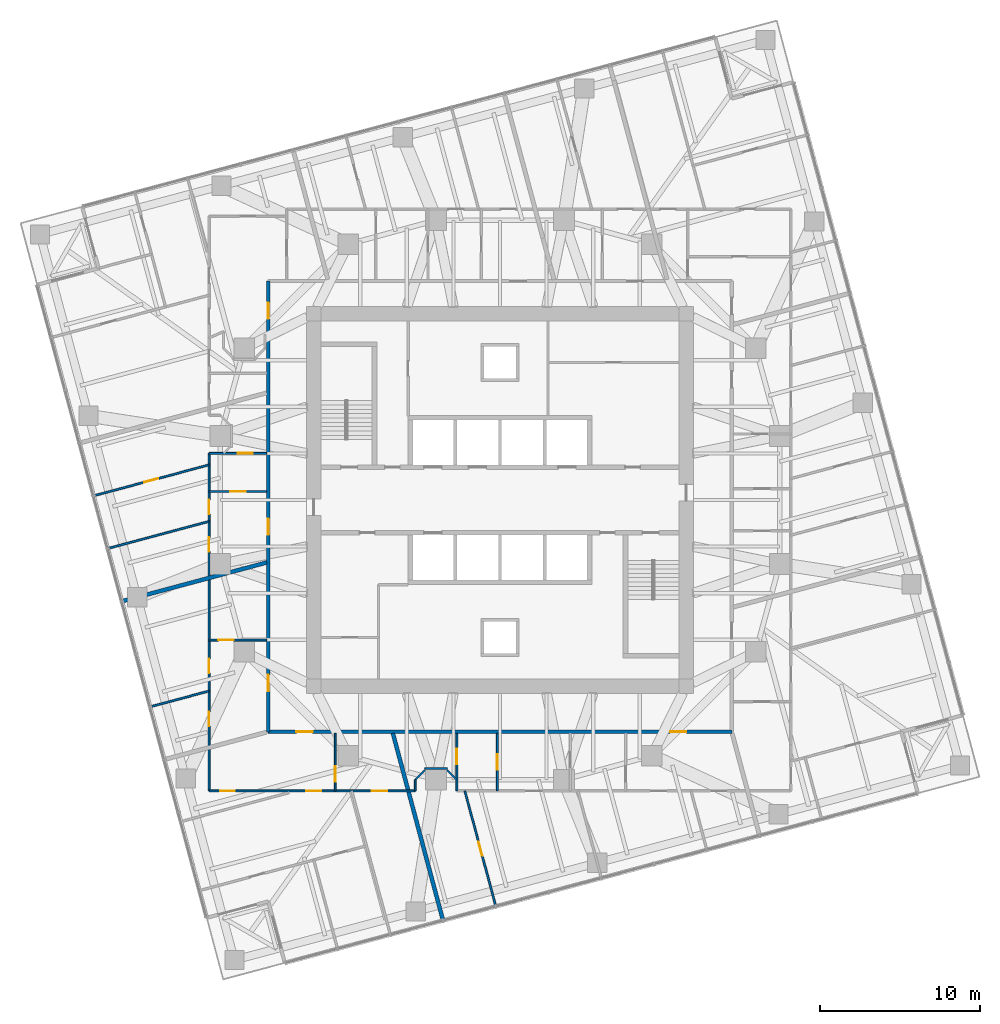
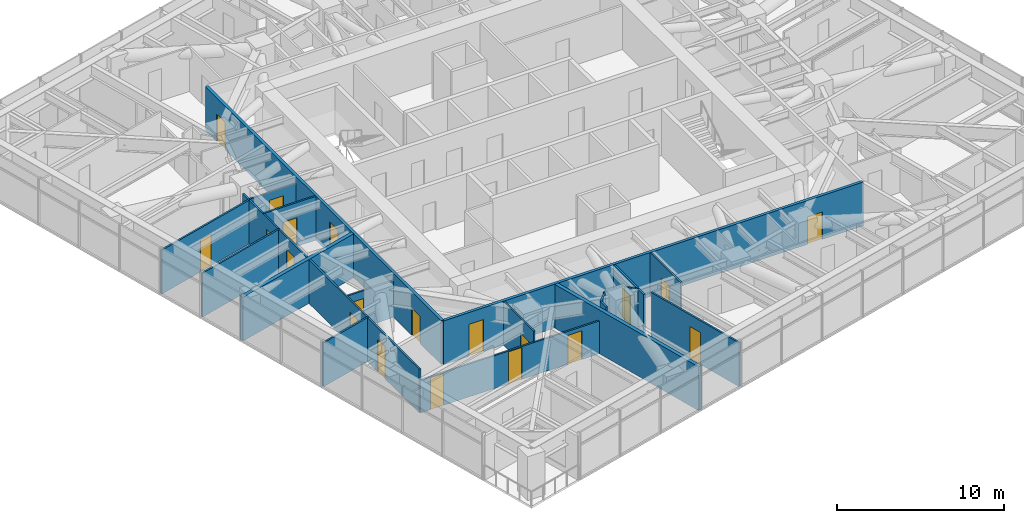
# One storey, part 11 of 18: 20 doors, 20 walls, 20 openings.
"""IFC4 building model written with IfcOpenShell, lengths in metres."""

from ifc_helpers import new_model, si_unit, direction, frame, frame_2d, origin, place, context, subcontext, project, spatial, rectangle, extrude, material, layer, layer_set, type_object, element, fill, save


model = new_model("IFC4")

# Units and contexts
model_context = context("Model", 3, precision=1e-05, world=origin(), true_north=direction((0.0, 1.0)))
body_context = subcontext(model_context, "Body", "Model", "MODEL_VIEW")
ifc_project = project(units=[si_unit("LENGTHUNIT", "METRE"), si_unit("AREAUNIT", "SQUARE_METRE"), si_unit("VOLUMEUNIT", "CUBIC_METRE"), si_unit("PLANEANGLEUNIT", "RADIAN"), si_unit("MASSUNIT", "GRAM", prefix="KILO")], contexts=[model_context])

# Site, building, storey
site_placement = place(None, origin())
site = spatial("IfcSite", under=ifc_project, at=site_placement, CompositionType="ELEMENT")
building_placement = place(site_placement, origin())
building = spatial("IfcBuilding", under=site, at=building_placement, Name="Torsade Residences", CompositionType="ELEMENT")
storey_placement = place(building_placement, frame((0.0, 0.0, 135.39990234375)))
storey = spatial("IfcBuildingStorey", under=building, at=storey_placement, Name="L37", CompositionType="ELEMENT", Elevation=135.39990234375)

# Wall, openings, doors
ifc_material_1 = material(Name="Plasterboard on steel stud", Category="steel")
ifc_layer_1 = layer(ifc_material_1, 0.199951171875)
ifc_layer_set_1 = layer_set([ifc_layer_1], Name="Plasterboard on steel stud")
wall_type_1 = type_object("IfcWallType", Name="CORRIDOR WALL 200", PredefinedType="PARTITIONING", material=ifc_layer_set_1)
wall_1_placement = place(storey_placement, frame((25.5, 15.5, 0.0), z_axis=(0.0, 0.0, 1.0), x_axis=(1.0, 0.0, 0.0)))
wall_1 = element("IfcWall", 1, at=wall_1_placement, inside=storey, type_object=wall_type_1, Name="Corridor wall L37", PredefinedType="PARTITIONING", context=body_context, shape_type="SweptSolid", body=[
    extrude(rectangle(XDim=29.0, YDim=0.199951171875, at=frame_2d((14.5, 0.0))), origin(), (0.0, 0.0, 1.0), 3.2001953125),
])
opening_1_placement = place(wall_1_placement, frame((25.146240234375, 0.0, 0.0)))
opening_1 = element("IfcOpeningElement", 2, at=opening_1_placement, cuts=wall_1, Name="Opening D01N", PredefinedType="OPENING", context=body_context, shape_type="SweptSolid", body=[
    extrude(rectangle(XDim=1.02001953125, YDim=2.0, at=frame_2d((0.510009765625, 1.0))), frame((0.0, 0.10986328125, 0.0), z_axis=(0.0, -1.0, 0.0), x_axis=(1.0, 0.0, 0.0)), (0.0, 0.0, 1.0), 0.219970703125),
])
opening_2_placement = place(wall_1_placement, frame((1.76123046875, 0.0, 0.0)))
opening_2 = element("IfcOpeningElement", 3, at=opening_2_placement, cuts=wall_1, Name="Opening D01", PredefinedType="OPENING", context=body_context, shape_type="SweptSolid", body=[
    extrude(rectangle(XDim=1.02001953125, YDim=2.340087890625, at=frame_2d((0.510009765625, 1.169921875))), frame((0.0, 0.10986328125, 0.0), z_axis=(0.0, -1.0, 0.0), x_axis=(1.0, 0.0, 0.0)), (0.0, 0.0, 1.0), 0.219970703125),
])
ifc_material_2 = material(Name="Solid-core timber fire door", Category="wood")
door_type_1 = type_object("IfcDoorType", Name="APARTMENT ENTRY DOOR 1020x2000", OperationType="NOTDEFINED", PredefinedType="DOOR", material=ifc_material_2)
door_1_placement = place(opening_1_placement, origin())
door_1 = element("IfcDoor", 4, at=door_1_placement, inside=storey, type_object=door_type_1, Name="Door Residential corridor to Kitchen and dining", OperationType="SINGLE_SWING_RIGHT", OverallHeight=2.0, OverallWidth=1.02001953125, PredefinedType="DOOR", context=body_context, shape_type="SweptSolid", body=[
    extrude(rectangle(XDim=1.02001953125, YDim=2.0, at=frame_2d((0.510009765625, 1.0))), frame((0.0, 0.02490234375, 0.0), z_axis=(0.0, -1.0, 0.0), x_axis=(1.0, 0.0, 0.0)), (0.0, 0.0, 1.0), 0.050048828125),
])
fill(opening_1, door_1)
ifc_material_3 = material(Name="Solid-core timber fire door", Category="wood")
door_type_2 = type_object("IfcDoorType", Name="APARTMENT ENTRY DOOR 1020x2340", OperationType="NOTDEFINED", PredefinedType="DOOR", material=ifc_material_3)
door_2_placement = place(opening_2_placement, origin())
door_2 = element("IfcDoor", 5, at=door_2_placement, inside=storey, type_object=door_type_2, Name="Door Residential corridor to Kitchen and dining", OperationType="SINGLE_SWING_LEFT", OverallHeight=2.340087890625, OverallWidth=1.02001953125, PredefinedType="DOOR", context=body_context, shape_type="SweptSolid", body=[
    extrude(rectangle(XDim=1.02001953125, YDim=2.340087890625, at=frame_2d((0.510009765625, 1.169921875))), frame((0.0, 0.02490234375, 0.0), z_axis=(0.0, -1.0, 0.0), x_axis=(1.0, 0.0, 0.0)), (0.0, 0.0, 1.0), 0.050048828125),
])
fill(opening_2, door_2)

wall_2_placement = place(storey_placement, frame((25.5, 43.699951171875, 0.0), z_axis=(0.0, 0.0, 1.0), x_axis=(0.0, -1.0, 0.0)))
wall_2 = element("IfcWall", 6, at=wall_2_placement, inside=storey, type_object=wall_type_1, Name="Corridor wall L37", PredefinedType="PARTITIONING", context=body_context, shape_type="SweptSolid", body=[
    extrude(rectangle(XDim=28.199951171875, YDim=0.199951171875, at=frame_2d((14.10009765625, 0.0))), origin(), (0.0, 0.0, 1.0), 3.2001953125),
])
opening_3_placement = place(wall_2_placement, frame((24.64599609375, 0.0, 0.0)))
opening_3 = element("IfcOpeningElement", 7, at=opening_3_placement, cuts=wall_2, Name="Opening D01N", PredefinedType="OPENING", context=body_context, shape_type="SweptSolid", body=[
    extrude(rectangle(XDim=1.02001953125, YDim=2.0, at=frame_2d((0.510009765625, 1.0))), frame((0.0, 0.10986328125, 0.0), z_axis=(0.0, -1.0, 0.0), x_axis=(1.0, 0.0, 0.0)), (0.0, 0.0, 1.0), 0.219970703125),
])
opening_4_placement = place(wall_2_placement, frame((14.85791015625, 0.0, 0.0)))
opening_4 = element("IfcOpeningElement", 8, at=opening_4_placement, cuts=wall_2, Name="Opening D01", PredefinedType="OPENING", context=body_context, shape_type="SweptSolid", body=[
    extrude(rectangle(XDim=1.02001953125, YDim=2.340087890625, at=frame_2d((0.510009765625, 1.169921875))), frame((0.0, 0.10986328125, 0.0), z_axis=(0.0, -1.0, 0.0), x_axis=(1.0, 0.0, 0.0)), (0.0, 0.0, 1.0), 0.219970703125),
])
opening_5_placement = place(wall_2_placement, frame((1.347412109375, 0.0, 0.0)))
opening_5 = element("IfcOpeningElement", 9, at=opening_5_placement, cuts=wall_2, Name="Opening D01N", PredefinedType="OPENING", context=body_context, shape_type="SweptSolid", body=[
    extrude(rectangle(XDim=1.02001953125, YDim=2.0, at=frame_2d((0.510009765625, 1.0))), frame((0.0, 0.10986328125, 0.0), z_axis=(0.0, -1.0, 0.0), x_axis=(1.0, 0.0, 0.0)), (0.0, 0.0, 1.0), 0.219970703125),
])
door_3_placement = place(opening_3_placement, origin())
door_3 = element("IfcDoor", 10, at=door_3_placement, inside=storey, type_object=door_type_1, Name="Door Residential corridor to Kitchen and dining", OperationType="SINGLE_SWING_RIGHT", OverallHeight=2.0, OverallWidth=1.02001953125, PredefinedType="DOOR", context=body_context, shape_type="SweptSolid", body=[
    extrude(rectangle(XDim=1.02001953125, YDim=2.0, at=frame_2d((0.510009765625, 1.0))), frame((0.0, 0.02490234375, 0.0), z_axis=(0.0, -1.0, 0.0), x_axis=(1.0, 0.0, 0.0)), (0.0, 0.0, 1.0), 0.050048828125),
])
fill(opening_3, door_3)
door_4_placement = place(opening_5_placement, origin())
door_4 = element("IfcDoor", 11, at=door_4_placement, inside=storey, type_object=door_type_1, Name="Door Residential corridor to Kitchen and dining", OperationType="SINGLE_SWING_LEFT", OverallHeight=2.0, OverallWidth=1.02001953125, PredefinedType="DOOR", context=body_context, shape_type="SweptSolid", body=[
    extrude(rectangle(XDim=1.02001953125, YDim=2.0, at=frame_2d((0.510009765625, 1.0))), frame((0.0, 0.02490234375, 0.0), z_axis=(0.0, -1.0, 0.0), x_axis=(1.0, 0.0, 0.0)), (0.0, 0.0, 1.0), 0.050048828125),
])
fill(opening_5, door_4)
door_5_placement = place(opening_4_placement, origin())
door_5 = element("IfcDoor", 12, at=door_5_placement, inside=storey, type_object=door_type_2, Name="Door Residential corridor to Kitchen and dining", OperationType="SINGLE_SWING_RIGHT", OverallHeight=2.340087890625, OverallWidth=1.02001953125, PredefinedType="DOOR", context=body_context, shape_type="SweptSolid", body=[
    extrude(rectangle(XDim=1.02001953125, YDim=2.340087890625, at=frame_2d((0.510009765625, 1.169921875))), frame((0.0, 0.02490234375, 0.0), z_axis=(0.0, -1.0, 0.0), x_axis=(1.0, 0.0, 0.0)), (0.0, 0.0, 1.0), 0.050048828125),
])
fill(opening_4, door_5)

# Wall, opening, door
ifc_material_4 = material(Name="Plasterboard on steel stud", Category="steel")
ifc_layer_2 = layer(ifc_material_4, 0.1201171875)
ifc_layer_set_2 = layer_set([ifc_layer_2], Name="Plasterboard on steel stud")
wall_type_2 = type_object("IfcWallType", Name="PARTITION 120", PredefinedType="PARTITIONING", material=ifc_layer_set_2)
wall_3_placement = place(storey_placement, frame((21.800048828125, 21.238037109375, 0.0), z_axis=(0.0, 0.0, 1.0), x_axis=(1.0, 0.0, 0.0)))
wall_3 = element("IfcWall", 13, at=wall_3_placement, inside=storey, type_object=wall_type_2, Name="Partition L37", PredefinedType="PARTITIONING", context=body_context, shape_type="SweptSolid", body=[
    extrude(rectangle(XDim=3.599853515625, YDim=0.1201171875, at=frame_2d((1.7998046875, 0.0))), origin(), (0.0, 0.0, 1.0), 2.672119140625),
])
opening_6_placement = place(wall_3_placement, frame((0.570068359375, 0.0, 0.0)))
opening_6 = element("IfcOpeningElement", 14, at=opening_6_placement, cuts=wall_3, Name="Opening D05", PredefinedType="OPENING", context=body_context, shape_type="SweptSolid", body=[
    extrude(rectangle(XDim=0.9599609375, YDim=2.10009765625, at=frame_2d((0.47998046875, 1.050048828125))), frame((0.0, 0.070068359375, 0.0), z_axis=(0.0, -1.0, 0.0), x_axis=(1.0, 0.0, 0.0)), (0.0, 0.0, 1.0), 0.14013671875),
])
ifc_material_5 = material(Name="Hollow-core timber door in a steel cavity frame", Category="steel")
door_type_3 = type_object("IfcDoorType", Name="BATHROOM CAVITY SLIDING DOOR 960", OperationType="SLIDING_TO_LEFT", PredefinedType="DOOR", material=ifc_material_5)
door_6_placement = place(opening_6_placement, origin())
door_6 = element("IfcDoor", 15, at=door_6_placement, inside=storey, type_object=door_type_3, Name="Door Kitchen and dining to Bathroom", OperationType="SLIDING_TO_LEFT", OverallHeight=2.10009765625, OverallWidth=0.9599609375, PredefinedType="DOOR", context=body_context, shape_type="SweptSolid", body=[
    extrude(rectangle(XDim=0.9599609375, YDim=2.10009765625, at=frame_2d((0.47998046875, 1.050048828125))), frame((0.0, 0.02490234375, 0.0), z_axis=(0.0, -1.0, 0.0), x_axis=(1.0, 0.0, 0.0)), (0.0, 0.0, 1.0), 0.050048828125),
])
fill(opening_6, door_6)

# Wall, openings, doors
wall_4_placement = place(storey_placement, frame((21.800048828125, 11.800048828125, 0.0), z_axis=(0.0, 0.0, 1.0), x_axis=(0.0, 1.0, 0.0)))
wall_4 = element("IfcWall", 16, at=wall_4_placement, inside=storey, type_object=wall_type_2, Name="Partition L37", PredefinedType="PARTITIONING", context=body_context, shape_type="SweptSolid", body=[
    extrude(rectangle(XDim=21.115966796875, YDim=0.1201171875, at=frame_2d((10.55810546875, 0.0))), origin(), (0.0, 0.0, 1.0), 3.2001953125),
])
opening_7_placement = place(wall_4_placement, frame((4.046142578125, 0.0, 0.0)))
opening_7 = element("IfcOpeningElement", 17, at=opening_7_placement, cuts=wall_4, Name="Opening D02", PredefinedType="OPENING", context=body_context, shape_type="SweptSolid", body=[
    extrude(rectangle(XDim=0.919921875, YDim=2.340087890625, at=frame_2d((0.4599609375, 1.169921875))), frame((0.0, 0.070068359375, 0.0), z_axis=(0.0, -1.0, 0.0), x_axis=(1.0, 0.0, 0.0)), (0.0, 0.0, 1.0), 0.14013671875),
])
opening_8_placement = place(wall_4_placement, frame((7.357666015625, 0.0, 0.0)))
opening_8 = element("IfcOpeningElement", 18, at=opening_8_placement, cuts=wall_4, Name="Opening D02", PredefinedType="OPENING", context=body_context, shape_type="SweptSolid", body=[
    extrude(rectangle(XDim=0.919921875, YDim=2.340087890625, at=frame_2d((0.4599609375, 1.169921875))), frame((0.0, 0.070068359375, 0.0), z_axis=(0.0, -1.0, 0.0), x_axis=(1.0, 0.0, 0.0)), (0.0, 0.0, 1.0), 0.14013671875),
])
opening_9_placement = place(wall_4_placement, frame((14.957763671875, 0.0, 0.0)))
opening_9 = element("IfcOpeningElement", 19, at=opening_9_placement, cuts=wall_4, Name="Opening D02", PredefinedType="OPENING", context=body_context, shape_type="SweptSolid", body=[
    extrude(rectangle(XDim=0.919921875, YDim=2.340087890625, at=frame_2d((0.4599609375, 1.169921875))), frame((0.0, 0.070068359375, 0.0), z_axis=(0.0, -1.0, 0.0), x_axis=(1.0, 0.0, 0.0)), (0.0, 0.0, 1.0), 0.14013671875),
])
opening_10_placement = place(wall_4_placement, frame((17.310302734375, 0.0, 0.0)))
opening_10 = element("IfcOpeningElement", 20, at=opening_10_placement, cuts=wall_4, Name="Opening D02", PredefinedType="OPENING", context=body_context, shape_type="SweptSolid", body=[
    extrude(rectangle(XDim=0.919921875, YDim=2.340087890625, at=frame_2d((0.4599609375, 1.169921875))), frame((0.0, 0.070068359375, 0.0), z_axis=(0.0, -1.0, 0.0), x_axis=(1.0, 0.0, 0.0)), (0.0, 0.0, 1.0), 0.14013671875),
])
ifc_material_6 = material(Name="Hollow-core timber door", Category="wood")
door_type_4 = type_object("IfcDoorType", Name="INTERNAL DOOR 920x2340", OperationType="NOTDEFINED", PredefinedType="DOOR", material=ifc_material_6)
door_7_placement = place(opening_7_placement, origin())
door_7 = element("IfcDoor", 21, at=door_7_placement, inside=storey, type_object=door_type_4, Name="Door Kitchen and dining to Bedroom 1", OperationType="SINGLE_SWING_RIGHT", OverallHeight=2.340087890625, OverallWidth=0.919921875, PredefinedType="DOOR", context=body_context, shape_type="SweptSolid", body=[
    extrude(rectangle(XDim=0.919921875, YDim=2.340087890625, at=frame_2d((0.4599609375, 1.169921875))), frame((0.0, 0.02490234375, 0.0), z_axis=(0.0, -1.0, 0.0), x_axis=(1.0, 0.0, 0.0)), (0.0, 0.0, 1.0), 0.050048828125),
])
fill(opening_7, door_7)
door_8_placement = place(opening_8_placement, origin())
door_8 = element("IfcDoor", 22, at=door_8_placement, inside=storey, type_object=door_type_4, Name="Door Kitchen and dining to Living room", OperationType="SINGLE_SWING_LEFT", OverallHeight=2.340087890625, OverallWidth=0.919921875, PredefinedType="DOOR", context=body_context, shape_type="SweptSolid", body=[
    extrude(rectangle(XDim=0.919921875, YDim=2.340087890625, at=frame_2d((0.4599609375, 1.169921875))), frame((0.0, 0.02490234375, 0.0), z_axis=(0.0, -1.0, 0.0), x_axis=(1.0, 0.0, 0.0)), (0.0, 0.0, 1.0), 0.050048828125),
])
fill(opening_8, door_8)
door_9_placement = place(opening_9_placement, origin())
door_9 = element("IfcDoor", 23, at=door_9_placement, inside=storey, type_object=door_type_4, Name="Door Kitchen and dining to Bedroom 2", OperationType="SINGLE_SWING_RIGHT", OverallHeight=2.340087890625, OverallWidth=0.919921875, PredefinedType="DOOR", context=body_context, shape_type="SweptSolid", body=[
    extrude(rectangle(XDim=0.919921875, YDim=2.340087890625, at=frame_2d((0.4599609375, 1.169921875))), frame((0.0, 0.02490234375, 0.0), z_axis=(0.0, -1.0, 0.0), x_axis=(1.0, 0.0, 0.0)), (0.0, 0.0, 1.0), 0.050048828125),
])
fill(opening_9, door_9)
door_10_placement = place(opening_10_placement, origin())
door_10 = element("IfcDoor", 24, at=door_10_placement, inside=storey, type_object=door_type_4, Name="Door Kitchen and dining to Bedroom 1", OperationType="SINGLE_SWING_LEFT", OverallHeight=2.340087890625, OverallWidth=0.919921875, PredefinedType="DOOR", context=body_context, shape_type="SweptSolid", body=[
    extrude(rectangle(XDim=0.919921875, YDim=2.340087890625, at=frame_2d((0.4599609375, 1.169921875))), frame((0.0, 0.02490234375, 0.0), z_axis=(0.0, -1.0, 0.0), x_axis=(1.0, 0.0, 0.0)), (0.0, 0.0, 1.0), 0.050048828125),
])
fill(opening_10, door_10)

# Wall
wall_5_placement = place(storey_placement, frame((21.800048828125, 18.048828125, 0.0), z_axis=(0.0, 0.0, 1.0), x_axis=(-0.965936829447, -0.258777977267, 0.0)))
element("IfcWall", 25, at=wall_5_placement, inside=storey, type_object=wall_type_2, Name="Partition L37", PredefinedType="PARTITIONING", context=body_context, shape_type="SweptSolid", body=[
    extrude(rectangle(XDim=3.786865234375, YDim=0.1201171875, at=frame_2d((1.8935546875, 0.0))), origin(), (0.0, 0.0, 1.0), 3.2001953125),
])

# Wall, opening, door
wall_6_placement = place(storey_placement, frame((29.6923828125, 15.39990234375, 0.0), z_axis=(0.0, 0.0, 1.0), x_axis=(0.0, -1.0, 0.0)))
wall_6 = element("IfcWall", 26, at=wall_6_placement, inside=storey, type_object=wall_type_2, Name="Partition L37", PredefinedType="PARTITIONING", context=body_context, shape_type="SweptSolid", body=[
    extrude(rectangle(XDim=3.599853515625, YDim=0.1201171875, at=frame_2d((1.7998046875, 0.0))), origin(), (0.0, 0.0, 1.0), 3.2001953125),
])
opening_11_placement = place(wall_6_placement, frame((2.070068359375, 0.0, 0.0)))
opening_11 = element("IfcOpeningElement", 27, at=opening_11_placement, cuts=wall_6, Name="Opening D05", PredefinedType="OPENING", context=body_context, shape_type="SweptSolid", body=[
    extrude(rectangle(XDim=0.9599609375, YDim=2.10009765625, at=frame_2d((0.47998046875, 1.050048828125))), frame((0.0, 0.070068359375, 0.0), z_axis=(0.0, -1.0, 0.0), x_axis=(1.0, 0.0, 0.0)), (0.0, 0.0, 1.0), 0.14013671875),
])
door_11_placement = place(opening_11_placement, origin())
door_11 = element("IfcDoor", 28, at=door_11_placement, inside=storey, type_object=door_type_3, Name="Door Kitchen and dining to Bathroom", OperationType="SLIDING_TO_LEFT", OverallHeight=2.10009765625, OverallWidth=0.9599609375, PredefinedType="DOOR", context=body_context, shape_type="SweptSolid", body=[
    extrude(rectangle(XDim=0.9599609375, YDim=2.10009765625, at=frame_2d((0.47998046875, 1.050048828125))), frame((0.0, 0.02490234375, 0.0), z_axis=(0.0, -1.0, 0.0), x_axis=(1.0, 0.0, 0.0)), (0.0, 0.0, 1.0), 0.050048828125),
])
fill(opening_11, door_11)

# Wall, openings, doors
wall_7_placement = place(storey_placement, frame((34.699951171875, 11.800048828125, 0.0), z_axis=(0.0, 0.0, 1.0), x_axis=(-1.0, 0.0, 0.0)))
wall_7 = element("IfcWall", 29, at=wall_7_placement, inside=storey, type_object=wall_type_2, Name="Partition L37", PredefinedType="PARTITIONING", context=body_context, shape_type="SweptSolid", body=[
    extrude(rectangle(XDim=12.89990234375, YDim=0.1201171875, at=frame_2d((6.449951171875, 0.0))), origin(), (0.0, 0.0, 1.0), 2.399169921875),
])
opening_12_placement = place(wall_7_placement, frame((11.2939453125, 0.0, 0.0)))
opening_12 = element("IfcOpeningElement", 30, at=opening_12_placement, cuts=wall_7, Name="Opening D02", PredefinedType="OPENING", context=body_context, shape_type="SweptSolid", body=[
    extrude(rectangle(XDim=0.919921875, YDim=2.340087890625, at=frame_2d((0.4599609375, 1.169921875))), frame((0.0, 0.070068359375, 0.0), z_axis=(0.0, -1.0, 0.0), x_axis=(1.0, 0.0, 0.0)), (0.0, 0.0, 1.0), 0.14013671875),
])
opening_13_placement = place(wall_7_placement, frame((5.890869140625, 0.0, 0.0)))
opening_13 = element("IfcOpeningElement", 31, at=opening_13_placement, cuts=wall_7, Name="Opening D02", PredefinedType="OPENING", context=body_context, shape_type="SweptSolid", body=[
    extrude(rectangle(XDim=0.919921875, YDim=2.340087890625, at=frame_2d((0.4599609375, 1.169921875))), frame((0.0, 0.070068359375, 0.0), z_axis=(0.0, -1.0, 0.0), x_axis=(1.0, 0.0, 0.0)), (0.0, 0.0, 1.0), 0.14013671875),
])
opening_14_placement = place(wall_7_placement, frame((1.74951171875, 0.0, 0.0)))
opening_14 = element("IfcOpeningElement", 32, at=opening_14_placement, cuts=wall_7, Name="Opening D05", PredefinedType="OPENING", context=body_context, shape_type="SweptSolid", body=[
    extrude(rectangle(XDim=0.9599609375, YDim=2.10009765625, at=frame_2d((0.47998046875, 1.050048828125))), frame((0.0, 0.070068359375, 0.0), z_axis=(0.0, -1.0, 0.0), x_axis=(1.0, 0.0, 0.0)), (0.0, 0.0, 1.0), 0.14013671875),
])
door_12_placement = place(opening_14_placement, origin())
door_12 = element("IfcDoor", 33, at=door_12_placement, inside=storey, type_object=door_type_3, Name="Door Bathroom to Bedroom 1", OperationType="SLIDING_TO_LEFT", OverallHeight=2.10009765625, OverallWidth=0.9599609375, PredefinedType="DOOR", context=body_context, shape_type="SweptSolid", body=[
    extrude(rectangle(XDim=0.9599609375, YDim=2.10009765625, at=frame_2d((0.47998046875, 1.050048828125))), frame((0.0, 0.02490234375, 0.0), z_axis=(0.0, -1.0, 0.0), x_axis=(1.0, 0.0, 0.0)), (0.0, 0.0, 1.0), 0.050048828125),
])
fill(opening_14, door_12)
door_13_placement = place(opening_12_placement, origin())
door_13 = element("IfcDoor", 34, at=door_13_placement, inside=storey, type_object=door_type_4, Name="Door Kitchen and dining to Study", OperationType="SINGLE_SWING_LEFT", OverallHeight=2.340087890625, OverallWidth=0.919921875, PredefinedType="DOOR", context=body_context, shape_type="SweptSolid", body=[
    extrude(rectangle(XDim=0.919921875, YDim=2.340087890625, at=frame_2d((0.4599609375, 1.169921875))), frame((0.0, 0.02490234375, 0.0), z_axis=(0.0, -1.0, 0.0), x_axis=(1.0, 0.0, 0.0)), (0.0, 0.0, 1.0), 0.050048828125),
])
fill(opening_12, door_13)
door_14_placement = place(opening_13_placement, origin())
door_14 = element("IfcDoor", 35, at=door_14_placement, inside=storey, type_object=door_type_4, Name="Door Kitchen and dining to Living room", OperationType="SINGLE_SWING_RIGHT", OverallHeight=2.340087890625, OverallWidth=0.919921875, PredefinedType="DOOR", context=body_context, shape_type="SweptSolid", body=[
    extrude(rectangle(XDim=0.919921875, YDim=2.340087890625, at=frame_2d((0.4599609375, 1.169921875))), frame((0.0, 0.02490234375, 0.0), z_axis=(0.0, -1.0, 0.0), x_axis=(1.0, 0.0, 0.0)), (0.0, 0.0, 1.0), 0.050048828125),
])
fill(opening_13, door_14)

# Wall, opening, door
wall_8_placement = place(storey_placement, frame((39.835205078125, 11.800048828125, 0.0), z_axis=(0.0, 0.0, 1.0), x_axis=(0.0, 1.0, 0.0)))
wall_8 = element("IfcWall", 36, at=wall_8_placement, inside=storey, type_object=wall_type_2, Name="Partition L37", PredefinedType="PARTITIONING", context=body_context, shape_type="SweptSolid", body=[
    extrude(rectangle(XDim=3.599853515625, YDim=0.1201171875, at=frame_2d((1.7998046875, 0.0))), origin(), (0.0, 0.0, 1.0), 3.2001953125),
])
opening_15_placement = place(wall_8_placement, frame((1.320068359375, 0.0, 0.0)))
opening_15 = element("IfcOpeningElement", 37, at=opening_15_placement, cuts=wall_8, Name="Opening D05", PredefinedType="OPENING", context=body_context, shape_type="SweptSolid", body=[
    extrude(rectangle(XDim=0.9599609375, YDim=2.10009765625, at=frame_2d((0.47998046875, 1.050048828125))), frame((0.0, 0.070068359375, 0.0), z_axis=(0.0, -1.0, 0.0), x_axis=(1.0, 0.0, 0.0)), (0.0, 0.0, 1.0), 0.14013671875),
])
door_15_placement = place(opening_15_placement, origin())
door_15 = element("IfcDoor", 38, at=door_15_placement, inside=storey, type_object=door_type_3, Name="Door Bathroom to Study", OperationType="SLIDING_TO_LEFT", OverallHeight=2.10009765625, OverallWidth=0.9599609375, PredefinedType="DOOR", context=body_context, shape_type="SweptSolid", body=[
    extrude(rectangle(XDim=0.9599609375, YDim=2.10009765625, at=frame_2d((0.47998046875, 1.050048828125))), frame((0.0, 0.02490234375, 0.0), z_axis=(0.0, -1.0, 0.0), x_axis=(1.0, 0.0, 0.0)), (0.0, 0.0, 1.0), 0.050048828125),
])
fill(opening_15, door_15)

wall_9_placement = place(storey_placement, frame((37.30029296875, 15.39990234375, 0.0), z_axis=(0.0, 0.0, 1.0), x_axis=(0.0, -1.0, 0.0)))
wall_9 = element("IfcWall", 39, at=wall_9_placement, inside=storey, type_object=wall_type_2, Name="Partition L37", PredefinedType="PARTITIONING", context=body_context, shape_type="SweptSolid", body=[
    extrude(rectangle(XDim=3.599853515625, YDim=0.1201171875, at=frame_2d((1.7998046875, 0.0))), origin(), (0.0, 0.0, 1.0), 3.2001953125),
])
opening_16_placement = place(wall_9_placement, frame((0.969970703125, 0.0, 0.0)))
opening_16 = element("IfcOpeningElement", 40, at=opening_16_placement, cuts=wall_9, Name="Opening D05", PredefinedType="OPENING", context=body_context, shape_type="SweptSolid", body=[
    extrude(rectangle(XDim=0.9599609375, YDim=2.10009765625, at=frame_2d((0.47998046875, 1.050048828125))), frame((0.0, 0.070068359375, 0.0), z_axis=(0.0, -1.0, 0.0), x_axis=(1.0, 0.0, 0.0)), (0.0, 0.0, 1.0), 0.14013671875),
])
door_16_placement = place(opening_16_placement, origin())
door_16 = element("IfcDoor", 41, at=door_16_placement, inside=storey, type_object=door_type_3, Name="Door Study to Ensuite", OperationType="SLIDING_TO_LEFT", OverallHeight=2.10009765625, OverallWidth=0.9599609375, PredefinedType="DOOR", context=body_context, shape_type="SweptSolid", body=[
    extrude(rectangle(XDim=0.9599609375, YDim=2.10009765625, at=frame_2d((0.47998046875, 1.050048828125))), frame((0.0, 0.02490234375, 0.0), z_axis=(0.0, -1.0, 0.0), x_axis=(1.0, 0.0, 0.0)), (0.0, 0.0, 1.0), 0.050048828125),
])
fill(opening_16, door_16)

# Walls
wall_10_placement = place(storey_placement, frame((37.300048828125, 12.5, 0.0), z_axis=(0.0, 0.0, 1.0), x_axis=(-0.707106781187, 0.707106781187, 0.0)))
element("IfcWall", 42, at=wall_10_placement, inside=storey, type_object=wall_type_2, Name="Partition L37", PredefinedType="PARTITIONING", context=body_context, shape_type="SweptSolid", body=[
    extrude(rectangle(XDim=0.8486328125, YDim=0.1201171875, at=frame_2d((0.42431640625, 0.0))), origin(), (0.0, 0.0, 1.0), 3.2001953125),
])
wall_11_placement = place(storey_placement, frame((36.699951171875, 13.199951171875, 0.0), z_axis=(0.0, 0.0, 1.0), x_axis=(-1.0, 0.0, 0.0)))
element("IfcWall", 43, at=wall_11_placement, inside=storey, type_object=wall_type_2, Name="Partition L37", PredefinedType="PARTITIONING", context=body_context, shape_type="SweptSolid", body=[
    extrude(rectangle(XDim=1.39990234375, YDim=0.1201171875, at=frame_2d((0.699951171875, 0.0))), origin(), (0.0, 0.0, 1.0), 3.2001953125),
])
wall_12_placement = place(storey_placement, frame((35.300048828125, 13.10009765625, 0.0), z_axis=(0.0, 0.0, 1.0), x_axis=(-0.707106781187, -0.707106781187, 0.0)))
element("IfcWall", 44, at=wall_12_placement, inside=storey, type_object=wall_type_2, Name="Partition L37", PredefinedType="PARTITIONING", context=body_context, shape_type="SweptSolid", body=[
    extrude(rectangle(XDim=0.8486328125, YDim=0.1201171875, at=frame_2d((0.42431640625, 0.0))), origin(), (0.0, 0.0, 1.0), 3.2001953125),
])
wall_13_placement = place(storey_placement, frame((34.699951171875, 12.5, 0.0), z_axis=(0.0, 0.0, 1.0), x_axis=(0.0, -1.0, 0.0)))
element("IfcWall", 45, at=wall_13_placement, inside=storey, type_object=wall_type_2, Name="Partition L37", PredefinedType="PARTITIONING", context=body_context, shape_type="SweptSolid", body=[
    extrude(rectangle(XDim=0.699951171875, YDim=0.1201171875, at=frame_2d((0.35009765625, 0.0))), origin(), (0.0, 0.0, 1.0), 3.2001953125),
])

# Wall, opening, door
wall_14_placement = place(storey_placement, frame((39.730224609375, 4.604736328125, 0.0), z_axis=(0.0, 0.0, 1.0), x_axis=(-0.258819087933, 0.965925814813, 0.0)))
wall_14 = element("IfcWall", 46, at=wall_14_placement, inside=storey, type_object=wall_type_2, Name="Partition L37", PredefinedType="PARTITIONING", context=body_context, shape_type="SweptSolid", body=[
    extrude(rectangle(XDim=7.44921875, YDim=0.1201171875, at=frame_2d((3.724609375, 0.0))), origin(), (0.0, 0.0, 1.0), 3.2001953125),
])
opening_17_placement = place(wall_14_placement, frame((3.244384765625, 0.0, 0.0)))
opening_17 = element("IfcOpeningElement", 47, at=opening_17_placement, cuts=wall_14, Name="Opening D02", PredefinedType="OPENING", context=body_context, shape_type="SweptSolid", body=[
    extrude(rectangle(XDim=0.919921875, YDim=2.340087890625, at=frame_2d((0.4599609375, 1.169921875))), frame((0.0, 0.070068359375, 0.0), z_axis=(0.0, -1.0, 0.0), x_axis=(1.0, 0.0, 0.0)), (0.0, 0.0, 1.0), 0.14013671875),
])
door_17_placement = place(opening_17_placement, origin())
door_17 = element("IfcDoor", 48, at=door_17_placement, inside=storey, type_object=door_type_4, Name="Door Living room to Bedroom 2", OperationType="SINGLE_SWING_LEFT", OverallHeight=2.340087890625, OverallWidth=0.919921875, PredefinedType="DOOR", context=body_context, shape_type="SweptSolid", body=[
    extrude(rectangle(XDim=0.919921875, YDim=2.340087890625, at=frame_2d((0.4599609375, 1.169921875))), frame((0.0, 0.02490234375, 0.0), z_axis=(0.0, -1.0, 0.0), x_axis=(1.0, 0.0, 0.0)), (0.0, 0.0, 1.0), 0.050048828125),
])
fill(opening_17, door_17)

wall_15_placement = place(storey_placement, frame((21.800048828125, 30.531494140625, 0.0), z_axis=(0.0, 0.0, 1.0), x_axis=(1.0, 0.0, 0.0)))
wall_15 = element("IfcWall", 49, at=wall_15_placement, inside=storey, type_object=wall_type_2, Name="Partition L37", PredefinedType="PARTITIONING", context=body_context, shape_type="SweptSolid", body=[
    extrude(rectangle(XDim=3.599853515625, YDim=0.1201171875, at=frame_2d((1.7998046875, 0.0))), origin(), (0.0, 0.0, 1.0), 3.2001953125),
])
opening_18_placement = place(wall_15_placement, frame((1.320068359375, 0.0, 0.0)))
opening_18 = element("IfcOpeningElement", 50, at=opening_18_placement, cuts=wall_15, Name="Opening D05", PredefinedType="OPENING", context=body_context, shape_type="SweptSolid", body=[
    extrude(rectangle(XDim=0.9599609375, YDim=2.10009765625, at=frame_2d((0.47998046875, 1.050048828125))), frame((0.0, 0.070068359375, 0.0), z_axis=(0.0, -1.0, 0.0), x_axis=(1.0, 0.0, 0.0)), (0.0, 0.0, 1.0), 0.14013671875),
])
door_18_placement = place(opening_18_placement, origin())
door_18 = element("IfcDoor", 51, at=door_18_placement, inside=storey, type_object=door_type_3, Name="Door Kitchen and dining to Ensuite", OperationType="SLIDING_TO_LEFT", OverallHeight=2.10009765625, OverallWidth=0.9599609375, PredefinedType="DOOR", context=body_context, shape_type="SweptSolid", body=[
    extrude(rectangle(XDim=0.9599609375, YDim=2.10009765625, at=frame_2d((0.47998046875, 1.050048828125))), frame((0.0, 0.02490234375, 0.0), z_axis=(0.0, -1.0, 0.0), x_axis=(1.0, 0.0, 0.0)), (0.0, 0.0, 1.0), 0.050048828125),
])
fill(opening_18, door_18)

wall_16_placement = place(storey_placement, frame((25.39990234375, 32.916015625, 0.0), z_axis=(0.0, 0.0, 1.0), x_axis=(-1.0, 0.0, 0.0)))
wall_16 = element("IfcWall", 52, at=wall_16_placement, inside=storey, type_object=wall_type_2, Name="Partition L37", PredefinedType="PARTITIONING", context=body_context, shape_type="SweptSolid", body=[
    extrude(rectangle(XDim=3.599853515625, YDim=0.1201171875, at=frame_2d((1.7998046875, 0.0))), origin(), (0.0, 0.0, 1.0), 2.672119140625),
])
opening_19_placement = place(wall_16_placement, frame((0.862060546875, 0.0, 0.0)))
opening_19 = element("IfcOpeningElement", 53, at=opening_19_placement, cuts=wall_16, Name="Opening D05", PredefinedType="OPENING", context=body_context, shape_type="SweptSolid", body=[
    extrude(rectangle(XDim=0.9599609375, YDim=2.10009765625, at=frame_2d((0.47998046875, 1.050048828125))), frame((0.0, 0.070068359375, 0.0), z_axis=(0.0, -1.0, 0.0), x_axis=(1.0, 0.0, 0.0)), (0.0, 0.0, 1.0), 0.14013671875),
])
door_19_placement = place(opening_19_placement, origin())
door_19 = element("IfcDoor", 54, at=door_19_placement, inside=storey, type_object=door_type_3, Name="Door Ensuite to Bathroom", OperationType="SLIDING_TO_LEFT", OverallHeight=2.10009765625, OverallWidth=0.9599609375, PredefinedType="DOOR", context=body_context, shape_type="SweptSolid", body=[
    extrude(rectangle(XDim=0.9599609375, YDim=2.10009765625, at=frame_2d((0.47998046875, 1.050048828125))), frame((0.0, 0.02490234375, 0.0), z_axis=(0.0, -1.0, 0.0), x_axis=(1.0, 0.0, 0.0)), (0.0, 0.0, 1.0), 0.050048828125),
])
fill(opening_19, door_19)

wall_17_placement = place(storey_placement, frame((21.800048828125, 32.19775390625, 0.0), z_axis=(0.0, 0.0, 1.0), x_axis=(-0.965923619242, -0.258827281774, 0.0)))
wall_17 = element("IfcWall", 55, at=wall_17_placement, inside=storey, type_object=wall_type_2, Name="Partition L37", PredefinedType="PARTITIONING", context=body_context, shape_type="SweptSolid", body=[
    extrude(rectangle(XDim=7.448974609375, YDim=0.1201171875, at=frame_2d((3.724609375, 0.0))), origin(), (0.0, 0.0, 1.0), 3.2001953125),
])
opening_20_placement = place(wall_17_placement, frame((3.284423828125, 0.0, 0.0)))
opening_20 = element("IfcOpeningElement", 56, at=opening_20_placement, cuts=wall_17, Name="Opening D02", PredefinedType="OPENING", context=body_context, shape_type="SweptSolid", body=[
    extrude(rectangle(XDim=0.919921875, YDim=2.340087890625, at=frame_2d((0.4599609375, 1.169921875))), frame((0.0, 0.070068359375, 0.0), z_axis=(0.0, -1.0, 0.0), x_axis=(1.0, 0.0, 0.0)), (0.0, 0.0, 1.0), 0.14013671875),
])
door_20_placement = place(opening_20_placement, origin())
door_20 = element("IfcDoor", 57, at=door_20_placement, inside=storey, type_object=door_type_4, Name="Door Bedroom 1 to Living room", OperationType="SINGLE_SWING_LEFT", OverallHeight=2.340087890625, OverallWidth=0.919921875, PredefinedType="DOOR", context=body_context, shape_type="SweptSolid", body=[
    extrude(rectangle(XDim=0.919921875, YDim=2.340087890625, at=frame_2d((0.4599609375, 1.169921875))), frame((0.0, 0.02490234375, 0.0), z_axis=(0.0, -1.0, 0.0), x_axis=(1.0, 0.0, 0.0)), (0.0, 0.0, 1.0), 0.050048828125),
])
fill(opening_20, door_20)

# Walls
wall_18_placement = place(storey_placement, frame((21.800048828125, 28.66064453125, 0.0), z_axis=(0.0, 0.0, 1.0), x_axis=(-0.96591852682, -0.258846285554, 0.0)))
element("IfcWall", 58, at=wall_18_placement, inside=storey, type_object=wall_type_2, Name="Partition L37", PredefinedType="PARTITIONING", context=body_context, shape_type="SweptSolid", body=[
    extrude(rectangle(XDim=6.533447265625, YDim=0.1201171875, at=frame_2d((3.2666015625, 0.0))), origin(), (0.0, 0.0, 1.0), 3.2001953125),
])
ifc_material_7 = material(Name="Masonry-lined stud party wall", Category="masonry")
ifc_layer_3 = layer(ifc_material_7, 0.25)
ifc_layer_set_3 = layer_set([ifc_layer_3], Name="Masonry-lined stud party wall")
wall_type_3 = type_object("IfcWallType", Name="PARTY WALL 250", PredefinedType="PARTITIONING", material=ifc_layer_set_3)
wall_19_placement = place(storey_placement, frame((36.4404296875, 3.681884765625, 0.0), z_axis=(0.0, 0.0, 1.0), x_axis=(-0.258824223352, 0.965924438766, 0.0)))
element("IfcWall", 59, at=wall_19_placement, inside=storey, type_object=wall_type_3, Name="Party wall L37", PredefinedType="PARTITIONING", context=body_context, shape_type="SweptSolid", body=[
    extrude(rectangle(XDim=12.137939453125, YDim=0.25, at=frame_2d((6.06884765625, 0.0))), origin(), (0.0, 0.0, 1.0), 3.2001953125),
])
wall_20_placement = place(storey_placement, frame((16.334716796875, 23.658935546875, 0.0), z_axis=(0.0, 0.0, 1.0), x_axis=(0.965927049013, 0.258814481793, 0.0)))
element("IfcWall", 60, at=wall_20_placement, inside=storey, type_object=wall_type_3, Name="Party wall L37", PredefinedType="PARTITIONING", context=body_context, shape_type="SweptSolid", body=[
    extrude(rectangle(XDim=9.3916015625, YDim=0.25, at=frame_2d((4.69580078125, 0.0))), origin(), (0.0, 0.0, 1.0), 3.2001953125),
])

save(model, "model.ifc")
